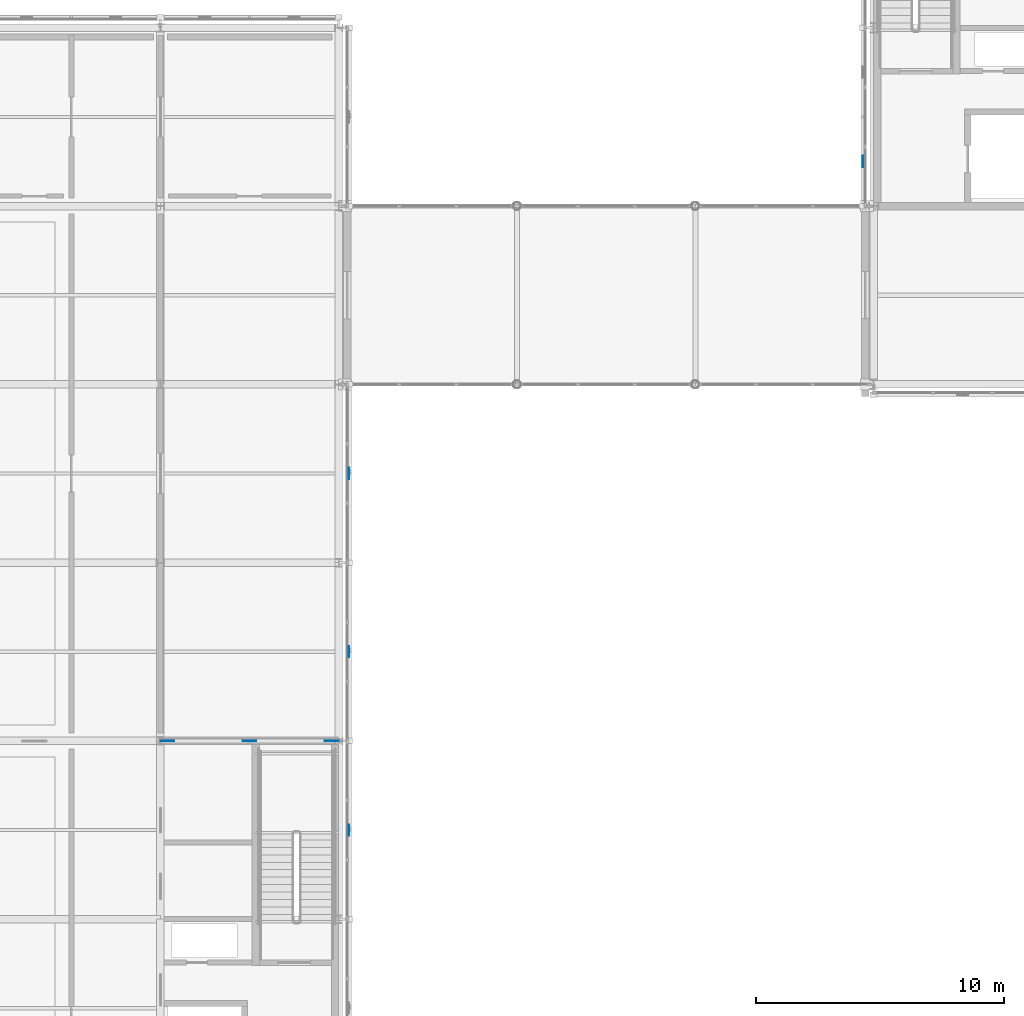
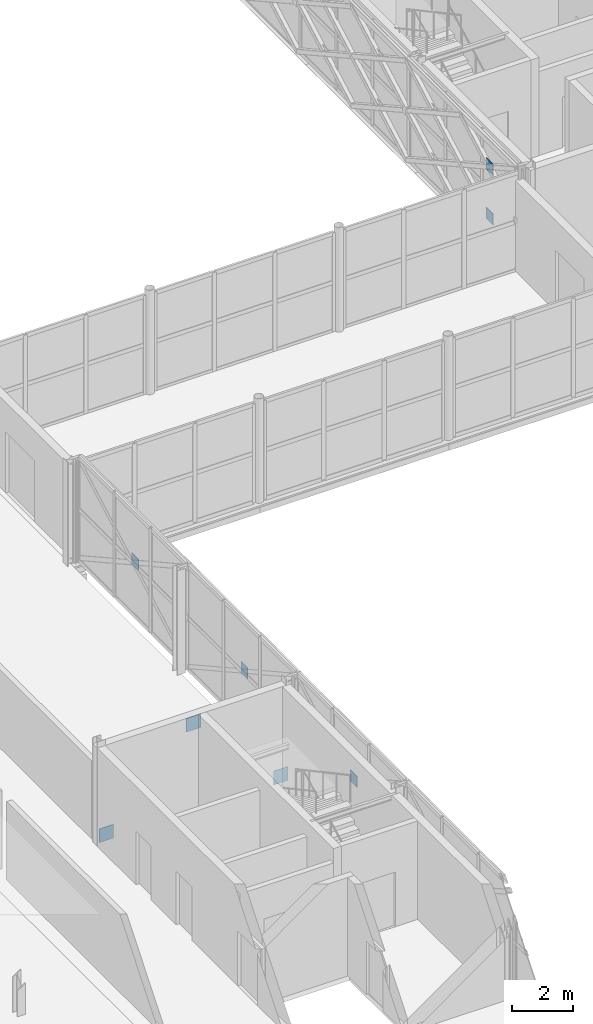
# One storey, part 91 of 126: 8 plates.
"""IFC4 building model written with IfcOpenShell, lengths in metres."""

from ifc_helpers import new_model, si_unit, direction, frame, origin, origin_2d, place, context, subcontext, project, spatial, rectangle, extrude, material, layer, layer_set, type_object, element, save


model = new_model("IFC4")

# Units and contexts
model_context = context("Model", 3, precision=1e-05, world=origin(), true_north=direction((0.0, 1.0)))
body_context = subcontext(model_context, "Body", "Model", "MODEL_VIEW")
ifc_project = project(units=[si_unit("LENGTHUNIT", "METRE"), si_unit("AREAUNIT", "SQUARE_METRE"), si_unit("VOLUMEUNIT", "CUBIC_METRE"), si_unit("PLANEANGLEUNIT", "RADIAN"), si_unit("MASSUNIT", "GRAM", prefix="KILO")], contexts=[model_context])

# Site, building, storey
site_placement = place(None, origin())
site = spatial("IfcSite", under=ifc_project, at=site_placement, CompositionType="ELEMENT")
building_placement = place(site_placement, origin())
building = spatial("IfcBuilding", under=site, at=building_placement, Name="Zlatovets Crest Museum", CompositionType="ELEMENT")
storey_placement = place(building_placement, frame((0.0, 0.0, 8.699951171875)))
storey = spatial("IfcBuildingStorey", under=building, at=storey_placement, Name="L02", CompositionType="ELEMENT", Elevation=8.699951171875)

# Plates
ifc_material = material(Name="Structural steel S355J2", Category="steel")
ifc_layer_1 = layer(ifc_material, 0.02490234375)
ifc_layer_set_1 = layer_set([ifc_layer_1], Name="Structural steel S355J2")
plate_type_1 = type_object("IfcPlateType", Name="Gusset_GP-01", PredefinedType="USERDEFINED", material=ifc_layer_set_1)
for number, where, z_axis, x_axis, name in (
    (1, (29.080078125, 72.0, 0.0048828125), (0.0, 0.0, 1.0), (1.0, 0.0, 0.0), "V4 L02 Brace End Gusset Plate GP-01"),
    (2, (35.719970703125, 72.0, 0.0048828125), (0.0, 0.0, 1.0), (1.0, 0.0, 0.0), "V4 L02 Brace End Gusset Plate GP-01"),
    (3, (32.39990234375, 72.0, 3.294921875), (0.0, 0.0, 1.0), (1.0, 0.0, 0.0), "V4 L02 Brace End Gusset Plate GP-01"),
):
    element("IfcPlate", number, at=place(storey_placement, frame(where, z_axis=z_axis, x_axis=x_axis)), inside=storey, type_object=plate_type_1, Name=name, ObjectType="GUSSET", PredefinedType="USERDEFINED", context=body_context, shape_type="SweptSolid", body=[
        extrude(rectangle(XDim=0.550048828125, YDim=0.02490234375, at=origin_2d()), origin(), (0.0, 0.0, 1.0), 0.550048828125),
    ])
ifc_layer_2 = layer(ifc_material, 0.02001953125)
ifc_layer_set_2 = layer_set([ifc_layer_2], Name="Structural steel S355J2")
plate_type_2 = type_object("IfcPlateType", Name="Gusset_GP-04", PredefinedType="USERDEFINED", material=ifc_layer_set_2)
for number, where, z_axis, x_axis, name in (
    (4, (57.179931640625, 95.39990234375, 0.875), (0.0, 0.0, 1.0), (1.0, 0.0, 0.0), "X-Brace Crossing Node Gusset Plate GP-04"),
    (5, (57.179931640625, 95.39990234375, 2.875), (0.0, 0.0, 1.0), (1.0, 0.0, 0.0), "X-Brace Crossing Node Gusset Plate GP-04"),
    (6, (36.419921875, 68.39990234375, 1.875), (0.0, 0.0, 1.0), (1.0, 0.0, 0.0), "X-Brace Crossing Node Gusset Plate GP-04"),
    (7, (36.419921875, 75.60009765625, 1.875), (0.0, 0.0, 1.0), (1.0, 0.0, 0.0), "X-Brace Crossing Node Gusset Plate GP-04"),
    (8, (36.419921875, 82.800048828125, 1.875), (0.0, 0.0, 1.0), (1.0, 0.0, 0.0), "X-Brace Crossing Node Gusset Plate GP-04"),
):
    element("IfcPlate", number, at=place(storey_placement, frame(where, z_axis=z_axis, x_axis=x_axis)), inside=storey, type_object=plate_type_2, Name=name, ObjectType="GUSSET", PredefinedType="USERDEFINED", context=body_context, shape_type="SweptSolid", body=[
        extrude(rectangle(XDim=0.02001953125, YDim=0.449951171875, at=origin_2d()), origin(), (0.0, 0.0, 1.0), 0.449951171875),
    ])

save(model, "model.ifc")
